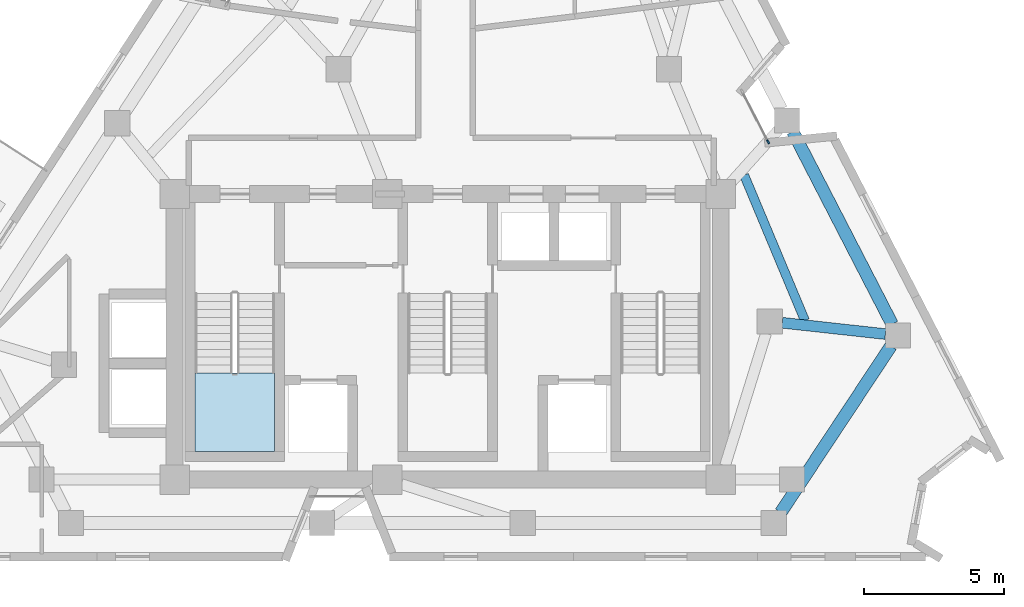
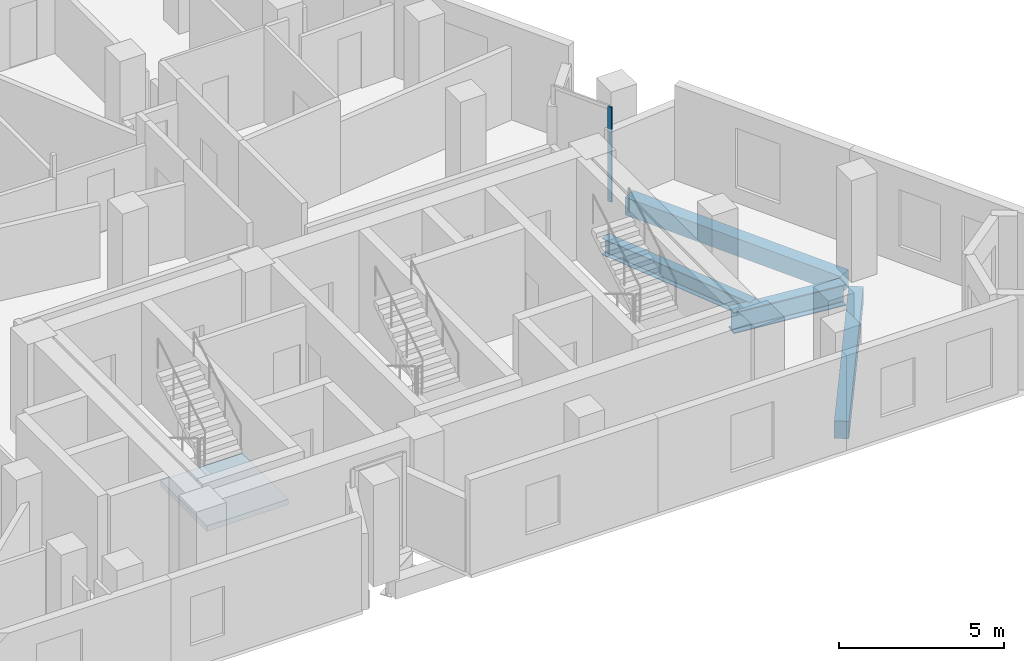
# One storey, part 4 of 11: 4 beams, 1 member, 1 slab, 2 elements without a shape of their own.
"""IFC4 building model written with IfcOpenShell, lengths in metres."""

from ifc_helpers import new_model, si_unit, direction, frame, origin, origin_2d, place, context, subcontext, project, spatial, polyline, rectangle, i_section, outline, extrude, material, layer, layer_set, material_profile, profile_set, type_object, element, aggregate, save


model = new_model("IFC4")

# Units and contexts
model_context = context("Model", 3, precision=1e-05, world=origin(), true_north=direction((0.0, 1.0)))
body_context = subcontext(model_context, "Body", "Model", "MODEL_VIEW")
ifc_project = project(units=[si_unit("LENGTHUNIT", "METRE"), si_unit("AREAUNIT", "SQUARE_METRE"), si_unit("VOLUMEUNIT", "CUBIC_METRE"), si_unit("PLANEANGLEUNIT", "RADIAN"), si_unit("MASSUNIT", "GRAM", prefix="KILO")], contexts=[model_context])

# Site, building, storey
site_placement = place(None, origin())
site = spatial("IfcSite", under=ifc_project, at=site_placement, CompositionType="ELEMENT")
building_placement = place(site_placement, origin())
building = spatial("IfcBuilding", under=site, at=building_placement, Name="Almagre Mirador Tower", CompositionType="ELEMENT")
storey_placement = place(building_placement, frame((0.0, 0.0, 218.25)))
storey = spatial("IfcBuildingStorey", under=building, at=storey_placement, Name="L56", CompositionType="ELEMENT", Elevation=218.25)

# Beams
ifc_material_1 = material(Name="Steel ASTM A992 Grade 50", Category="steel")
ifc_material_profile_1 = material_profile(ifc_material_1, i_section(OverallWidth=0.323974609375, OverallDepth=0.611083984375, WebThickness=0.0126953125, FlangeThickness=0.01904296875, FilletRadius=0.02001953125, at=origin_2d()), Name="W24X104")
ifc_profile_set_1 = profile_set([ifc_material_profile_1], Name="Steel ASTM A992 Grade 50")
beam_type_1 = type_object("IfcBeamType", Name="BM-JST-W24X104", PredefinedType="JOIST", material=ifc_profile_set_1)
beam_1_placement = place(storey_placement, frame((50.056884765625, 10.231201171875, -0.555419921875), z_axis=(-0.38582023775, 0.922573977599, 0.0), x_axis=(-0.922573977599, -0.38582023775, 0.0)))
element("IfcBeam", 1, at=beam_1_placement, inside=storey, type_object=beam_type_1, Name="L56 secondary floor joist PC05-PC06.3", PredefinedType="JOIST", context=body_context, shape_type="SweptSolid", body=[
    extrude(i_section(OverallWidth=0.323974609375, OverallDepth=0.611083984375, WebThickness=0.0126953125, FlangeThickness=0.01904296875, FilletRadius=0.02001953125, at=origin_2d()), origin(), (0.0, 0.0, 1.0), 5.624267578125),
])
ifc_material_2 = material(Name="Precast concrete C50/60", Category="concrete")
ifc_material_profile_2 = material_profile(ifc_material_2, rectangle(XDim=0.449951171875, YDim=0.64990234375, at=origin_2d()), Name="RC450X650")
ifc_profile_set_2 = profile_set([ifc_material_profile_2], Name="Precast concrete C50/60")
beam_type_2 = type_object("IfcBeamType", Name="BM-SPN-RC450X650", PredefinedType="SPANDREL", material=ifc_profile_set_2)
beam_2_placement = place(storey_placement, frame((49.1923828125, 3.375244140625, -0.574951171875), z_axis=(0.551908560309, 0.83390463547, 0.0), x_axis=(-0.83390463547, 0.551908560309, 0.0)))
element("IfcBeam", 2, at=beam_2_placement, inside=storey, type_object=beam_type_2, Name="L56 perimeter spandrel beam PC04-PC05", PredefinedType="SPANDREL", context=body_context, shape_type="SweptSolid", body=[
    extrude(rectangle(XDim=0.449951171875, YDim=0.64990234375, at=origin_2d()), origin(), (0.0, 0.0, 1.0), 7.132080078125),
])
beam_3_placement = place(storey_placement, frame((53.1708984375, 10.097900390625, -0.574951171875), z_axis=(-0.45829341544, 0.888800959363, 0.0), x_axis=(-0.888800959363, -0.45829341544, 0.0)))
element("IfcBeam", 3, at=beam_3_placement, inside=storey, type_object=beam_type_2, Name="L56 perimeter spandrel beam PC05-PC06", PredefinedType="SPANDREL", context=body_context, shape_type="SweptSolid", body=[
    extrude(rectangle(XDim=0.449951171875, YDim=0.64990234375, at=origin_2d()), origin(), (0.0, 0.0, 1.0), 7.740966796875),
])
ifc_material_3 = material(Name="Steel ASTM A992 Grade 50", Category="steel")
ifc_material_profile_3 = material_profile(ifc_material_3, i_section(OverallWidth=0.384033203125, OverallDepth=0.784912109375, WebThickness=0.019775390625, FlangeThickness=0.033447265625, FilletRadius=0.02392578125, at=origin_2d()), Name="W30X211")
ifc_profile_set_3 = profile_set([ifc_material_profile_3], Name="Steel ASTM A992 Grade 50")
beam_type_3 = type_object("IfcBeamType", Name="BM-STL-W30X211", PredefinedType="BEAM", material=ifc_profile_set_3)
beam_4_placement = place(storey_placement, frame((52.9296875, 9.7470703125, -0.642578125), z_axis=(-0.994041045224, 0.109006423709, 0.0), x_axis=(-0.109006423709, -0.994041045224, 0.0)))
element("IfcBeam", 4, at=beam_4_placement, inside=storey, type_object=beam_type_3, Name="L56 radial floor girder PC05-MC3", PredefinedType="BEAM", context=body_context, shape_type="SweptSolid", body=[
    extrude(i_section(OverallWidth=0.384033203125, OverallDepth=0.784912109375, WebThickness=0.019775390625, FlangeThickness=0.033447265625, FilletRadius=0.02392578125, at=origin_2d()), origin(), (0.0, 0.0, 1.0), 3.704345703125),
])

# Curtain wall, member
ifc_material_4 = material(Name="Black anodized aluminium", Category="aluminium")
ifc_layer_1 = layer(ifc_material_4, 0.169921875)
ifc_layer_set_1 = layer_set([ifc_layer_1], Name="Black anodized aluminium")
curtain_wall_type = type_object("IfcCurtainWallType", Name="CW-CRS-SYS", PredefinedType="NOTDEFINED", material=ifc_layer_set_1)
curtain_wall_placement = place(storey_placement, origin())
curtain_wall = element("IfcCurtainWall", 5, at=curtain_wall_placement, inside=storey, type_object=curtain_wall_type, Name="L56 vertical crease curtain wall 03", PredefinedType="NOTDEFINED")
ifc_material_5 = material(Name="Black anodized aluminium", Category="aluminium")
ifc_material_profile_4 = material_profile(ifc_material_5, rectangle(XDim=0.06005859375, YDim=0.14990234375, at=origin_2d()), Name="CWM60X150")
ifc_profile_set_4 = profile_set([ifc_material_profile_4], Name="Black anodized aluminium")
member_type = type_object("IfcMemberType", Name="MBR-CWM60X150", PredefinedType="MULLION", material=ifc_profile_set_4)
member_placement = place(storey_placement, frame((48.745361328125, 16.609619140625, 0.0), z_axis=(0.0, 0.0, 1.0), x_axis=(0.888708726279, 0.458472245436, 0.0)))
member = element("IfcMember", 6, at=member_placement, type_object=member_type, Name="CW-4 mullion 2", PredefinedType="MULLION", context=body_context, shape_type="SweptSolid", body=[
    extrude(rectangle(XDim=0.06005859375, YDim=0.14990234375, at=origin_2d()), origin(), (0.0, 0.0, 1.0), 3.5),
])
aggregate(curtain_wall, [member])

# Stair, slab
ifc_material_6 = material(Name="Concrete C45/55", Category="concrete")
stair_type = type_object("IfcStairType", Name="STR-DL-3750", PredefinedType="HALF_TURN_STAIR", material=ifc_material_6)
stair_placement = place(storey_placement, origin())
stair = element("IfcStair", 7, at=stair_placement, inside=storey, type_object=stair_type, Name="L56 Protected exit stair ST-1", PredefinedType="HALF_TURN_STAIR")
ifc_material_7 = material(Name="Concrete C45/55", Category="concrete")
ifc_layer_2 = layer(ifc_material_7, 0.199951171875)
ifc_layer_set_2 = layer_set([ifc_layer_2], Name="Concrete C45/55")
slab_type = type_object("IfcSlabType", Name="SLB-LND-200", PredefinedType="LANDING", material=ifc_layer_set_2)
slab_placement = place(storey_placement, frame((0.0, 0.0, 1.675048828125)))
slab = element("IfcSlab", 8, at=slab_placement, type_object=slab_type, Name="ST-1 landing 1", PredefinedType="LANDING", context=body_context, shape_type="SweptSolid", body=[
    extrude(outline(polyline([(28.27490234375, 8.35009765625), (28.27490234375, 5.550048828125), (31.125, 5.550048828125), (31.125, 8.35009765625), (28.27490234375, 8.35009765625)])), origin(), (0.0, 0.0, 1.0), 0.199951171875),
])
aggregate(stair, [slab])

save(model, "model.ifc")
